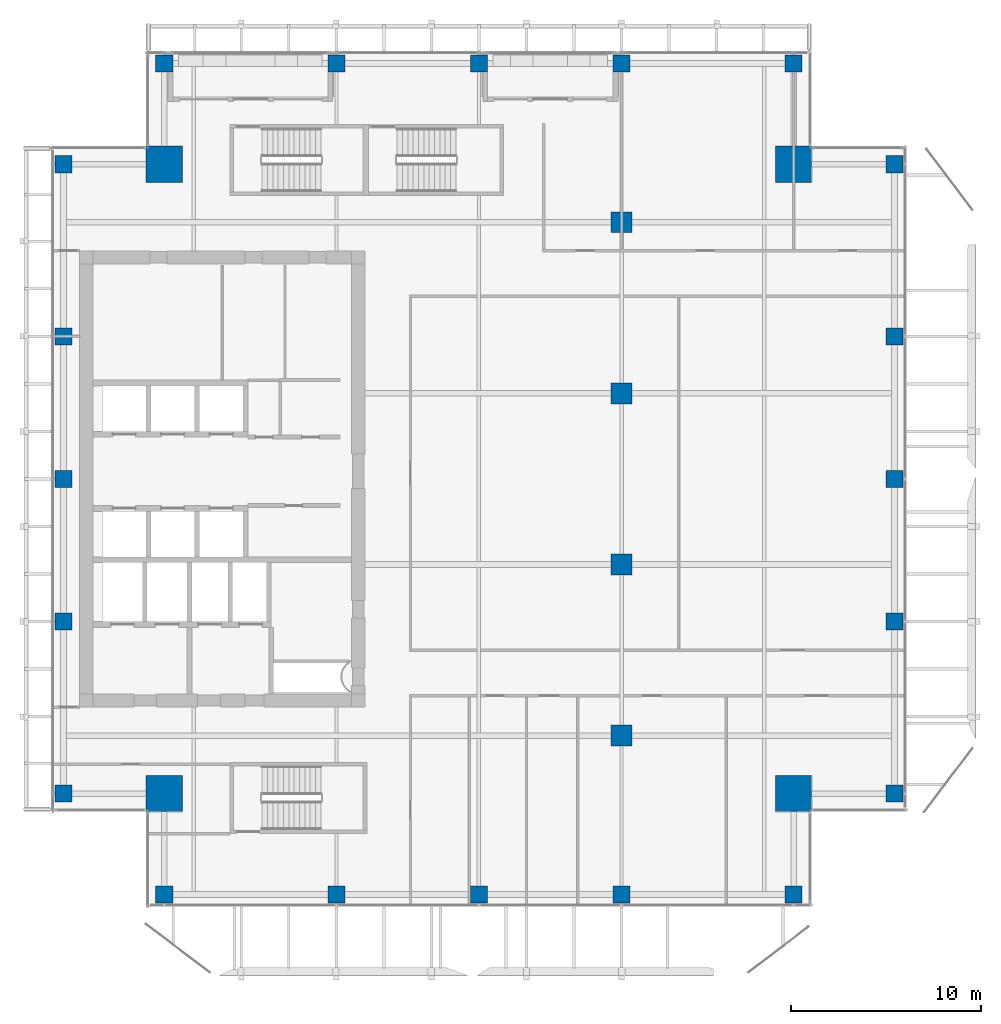
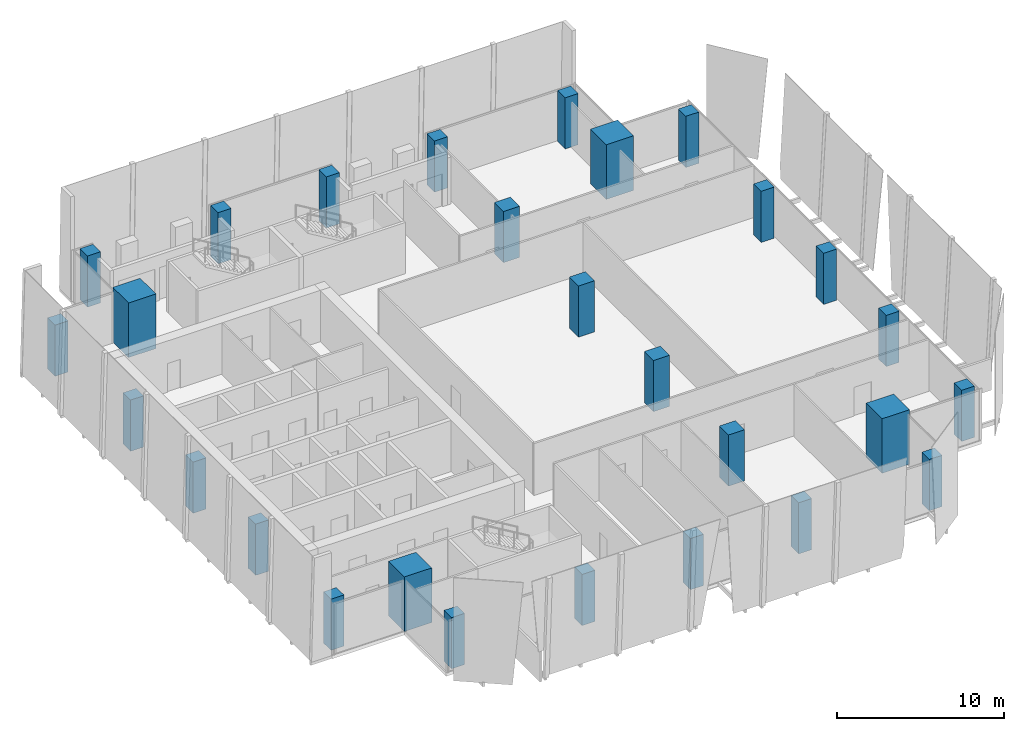
# One storey, part 1 of 35: 28 columns.
"""IFC4 building model written with IfcOpenShell, lengths in metres."""

from ifc_helpers import new_model, si_unit, direction, frame, origin, origin_2d, place, context, subcontext, project, spatial, rectangle, extrude, source, transform, mapped, material, material_profile, profile_set, type_object, element, save


model = new_model("IFC4")

# Units and contexts
model_context = context("Model", 3, precision=1e-05, world=origin(), true_north=direction((0.0, 1.0)))
body_context = subcontext(model_context, "Body", "Model", "MODEL_VIEW")
ifc_project = project(units=[si_unit("LENGTHUNIT", "METRE"), si_unit("AREAUNIT", "SQUARE_METRE"), si_unit("VOLUMEUNIT", "CUBIC_METRE"), si_unit("PLANEANGLEUNIT", "RADIAN"), si_unit("MASSUNIT", "GRAM", prefix="KILO")], contexts=[model_context])

# Site, building, storey
site_placement = place(None, origin())
site = spatial("IfcSite", under=ifc_project, at=site_placement, CompositionType="ELEMENT")
building_placement = place(site_placement, origin())
building = spatial("IfcBuilding", under=site, at=building_placement, Name="Khomas Fold Tower", CompositionType="ELEMENT")
storey_placement = place(building_placement, frame((0.0, 0.0, 266.199951171875)))
storey = spatial("IfcBuildingStorey", under=building, at=storey_placement, Name="L60", CompositionType="ELEMENT", Elevation=266.199951171875)

# Columns
ifc_material_1 = material(Name="Concrete C60/75", Category="concrete")
ifc_material_profile_1 = material_profile(ifc_material_1, rectangle(XDim=1.89990234375, YDim=1.89990234375, at=origin_2d()), Name="RC 1900x1900")
ifc_profile_set_1 = profile_set([ifc_material_profile_1], Name="Concrete C60/75")
column_type_1 = type_object("IfcColumnType", Name="RC 1900x1900 column", PredefinedType="COLUMN", material=ifc_profile_set_1)
shared_shape_1 = source(origin(), body_context, "Body", "SweptSolid", [
    extrude(rectangle(XDim=1.89990234375, YDim=1.89990234375, at=origin_2d()), origin(), (0.0, 0.0, 1.0), 4.0),
])
for number, where, z_axis, x_axis, name in (
    (1, (43.550048828125, 43.550048828125, 0.0), (0.0, 0.0, 1.0), (1.0, 0.0, 0.0), "CM-NE"),
    (2, (10.449951171875, 43.550048828125, 0.0), (0.0, 0.0, 1.0), (1.0, 0.0, 0.0), "CM-NW"),
    (3, (43.550048828125, 10.449951171875, 0.0), (0.0, 0.0, 1.0), (1.0, 0.0, 0.0), "CM-SE"),
    (4, (10.449951171875, 10.449951171875, 0.0), (0.0, 0.0, 1.0), (1.0, 0.0, 0.0), "CM-SW"),
):
    element("IfcColumn", number, at=place(storey_placement, frame(where, z_axis=z_axis, x_axis=x_axis)), inside=storey, type_object=column_type_1, Name=name, PredefinedType="COLUMN", context=body_context, shape_type="MappedRepresentation", body=[
        mapped(shared_shape_1, transform((0.0, 0.0, 0.0))),
    ])
ifc_material_2 = material(Name="Concrete C50/60", Category="concrete")
ifc_material_profile_2 = material_profile(ifc_material_2, rectangle(XDim=0.89990234375, YDim=0.89990234375, at=origin_2d()), Name="RC 900x900")
ifc_profile_set_2 = profile_set([ifc_material_profile_2], Name="Concrete C50/60")
column_type_2 = type_object("IfcColumnType", Name="RC 900x900 column", PredefinedType="COLUMN", material=ifc_profile_set_2)
shared_shape_2 = source(origin(), body_context, "Body", "SweptSolid", [
    extrude(rectangle(XDim=0.89990234375, YDim=0.89990234375, at=origin_2d()), origin(), (0.0, 0.0, 1.0), 3.75),
])
for number, where, z_axis, x_axis, name in (
    (5, (10.449951171875, 5.14990234375, 0.0), (0.0, 0.0, 1.0), (1.0, 0.0, 0.0), "C-5-SF4"),
    (6, (19.5, 5.14990234375, 0.0), (0.0, 0.0, 1.0), (1.0, 0.0, 0.0), "C-8-SF4"),
    (7, (27.0, 5.14990234375, 0.0), (0.0, 0.0, 1.0), (1.0, 0.0, 0.0), "C-9-SF4"),
    (8, (34.5, 5.14990234375, 0.0), (0.0, 0.0, 1.0), (1.0, 0.0, 0.0), "C-10-SF4"),
    (9, (43.550048828125, 5.14990234375, 0.0), (0.0, 0.0, 1.0), (1.0, 0.0, 0.0), "C-14-SF4"),
    (10, (48.85009765625, 10.449951171875, 0.0), (0.0, 0.0, 1.0), (1.0, 0.0, 0.0), "C-E4-E"),
    (11, (48.85009765625, 19.5, 0.0), (0.0, 0.0, 1.0), (1.0, 0.0, 0.0), "C-E4-J"),
    (12, (48.85009765625, 27.0, 0.0), (0.0, 0.0, 1.0), (1.0, 0.0, 0.0), "C-E4-L"),
    (13, (48.85009765625, 34.5, 0.0), (0.0, 0.0, 1.0), (1.0, 0.0, 0.0), "C-E4-N"),
    (14, (48.85009765625, 43.550048828125, 0.0), (0.0, 0.0, 1.0), (1.0, 0.0, 0.0), "C-E4-S"),
    (15, (10.449951171875, 48.85009765625, 0.0), (0.0, 0.0, 1.0), (1.0, 0.0, 0.0), "C-5-NF4"),
    (16, (19.5, 48.85009765625, 0.0), (0.0, 0.0, 1.0), (1.0, 0.0, 0.0), "C-8-NF4"),
    (17, (27.0, 48.85009765625, 0.0), (0.0, 0.0, 1.0), (1.0, 0.0, 0.0), "C-9-NF4"),
    (18, (34.5, 48.85009765625, 0.0), (0.0, 0.0, 1.0), (1.0, 0.0, 0.0), "C-10-NF4"),
    (19, (43.550048828125, 48.85009765625, 0.0), (0.0, 0.0, 1.0), (1.0, 0.0, 0.0), "C-14-NF4"),
    (20, (5.14990234375, 10.449951171875, 0.0), (0.0, 0.0, 1.0), (1.0, 0.0, 0.0), "C-W4-E"),
    (21, (5.14990234375, 19.5, 0.0), (0.0, 0.0, 1.0), (1.0, 0.0, 0.0), "C-W4-J"),
    (22, (5.14990234375, 27.0, 0.0), (0.0, 0.0, 1.0), (1.0, 0.0, 0.0), "C-W4-L"),
    (23, (5.14990234375, 34.5, 0.0), (0.0, 0.0, 1.0), (1.0, 0.0, 0.0), "C-W4-N"),
    (24, (5.14990234375, 43.550048828125, 0.0), (0.0, 0.0, 1.0), (1.0, 0.0, 0.0), "C-W4-S"),
):
    element("IfcColumn", number, at=place(storey_placement, frame(where, z_axis=z_axis, x_axis=x_axis)), inside=storey, type_object=column_type_2, Name=name, PredefinedType="COLUMN", context=body_context, shape_type="MappedRepresentation", body=[
        mapped(shared_shape_2, transform((0.0, 0.0, 0.0))),
    ])
ifc_material_3 = material(Name="Concrete C50/60", Category="concrete")
ifc_material_profile_3 = material_profile(ifc_material_3, rectangle(XDim=1.10009765625, YDim=1.10009765625, at=origin_2d()), Name="RC 1100x1100")
ifc_profile_set_3 = profile_set([ifc_material_profile_3], Name="Concrete C50/60")
column_type_3 = type_object("IfcColumnType", Name="RC 1100x1100 column", PredefinedType="COLUMN", material=ifc_profile_set_3)
shared_shape_3 = source(origin(), body_context, "Body", "SweptSolid", [
    extrude(rectangle(XDim=1.10009765625, YDim=1.10009765625, at=origin_2d()), origin(), (0.0, 0.0, 1.0), 3.75),
])
for number, where, z_axis, x_axis, name in (
    (25, (34.5, 13.5, 0.0), (0.0, 0.0, 1.0), (1.0, 0.0, 0.0), "C-10-H"),
    (26, (34.5, 22.5, 0.0), (0.0, 0.0, 1.0), (1.0, 0.0, 0.0), "C-10-K"),
    (27, (34.5, 31.5, 0.0), (0.0, 0.0, 1.0), (1.0, 0.0, 0.0), "C-10-M"),
    (28, (34.5, 40.5, 0.0), (0.0, 0.0, 1.0), (1.0, 0.0, 0.0), "C-10-P"),
):
    element("IfcColumn", number, at=place(storey_placement, frame(where, z_axis=z_axis, x_axis=x_axis)), inside=storey, type_object=column_type_3, Name=name, PredefinedType="COLUMN", context=body_context, shape_type="MappedRepresentation", body=[
        mapped(shared_shape_3, transform((0.0, 0.0, 0.0))),
    ])

save(model, "model.ifc")
